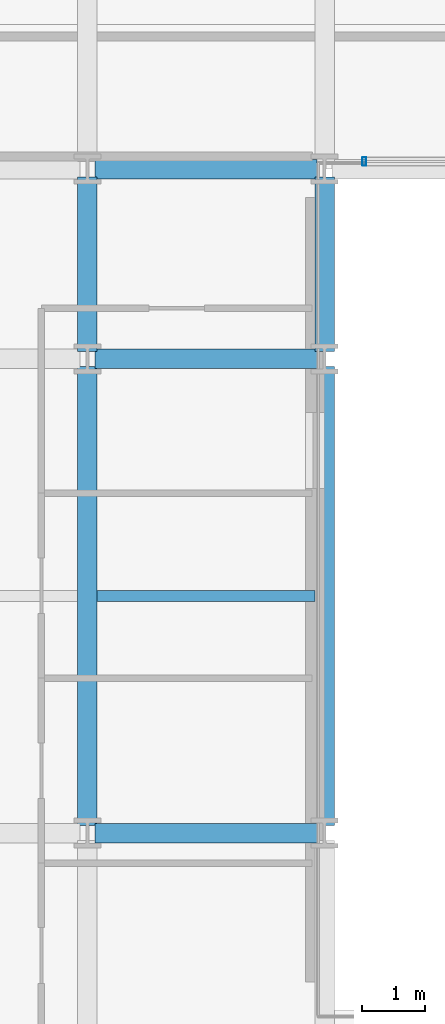
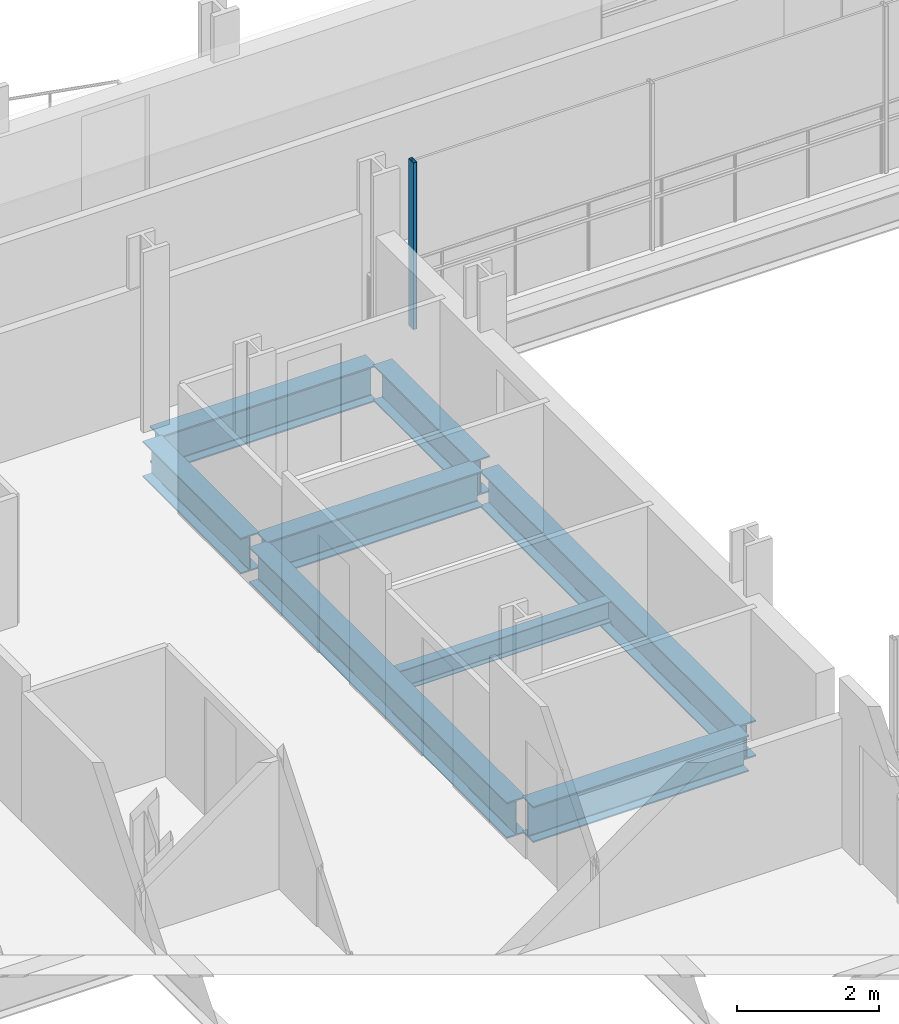
# One storey, part 8 of 38: 8 beams, 1 member, 1 element without a shape of its own.
"""IFC4 building model written with IfcOpenShell, lengths in metres."""

from ifc_helpers import new_model, si_unit, direction, frame, origin, origin_2d, place, context, subcontext, project, spatial, hollow_rectangle, i_section, extrude, material, layer, layer_set, material_profile, profile_set, type_object, element, aggregate, save


model = new_model("IFC4")

# Units and contexts
model_context = context("Model", 3, precision=1e-05, world=origin(), true_north=direction((0.0, 1.0)))
body_context = subcontext(model_context, "Body", "Model", "MODEL_VIEW")
ifc_project = project(units=[si_unit("LENGTHUNIT", "METRE"), si_unit("AREAUNIT", "SQUARE_METRE"), si_unit("VOLUMEUNIT", "CUBIC_METRE"), si_unit("PLANEANGLEUNIT", "RADIAN"), si_unit("MASSUNIT", "GRAM", prefix="KILO")], contexts=[model_context])

# Site, building, storey
site_placement = place(None, origin())
site = spatial("IfcSite", under=ifc_project, at=site_placement, CompositionType="ELEMENT")
building_placement = place(site_placement, origin())
building = spatial("IfcBuilding", under=site, at=building_placement, Name="Brevholm Reach", CompositionType="ELEMENT")
storey_placement = place(building_placement, frame((0.0, 0.0, 59.0)))
storey = spatial("IfcBuildingStorey", under=building, at=storey_placement, Name="L16", CompositionType="ELEMENT", Elevation=59.0)

# Beams
ifc_material_1 = material(Name="Structural Steel S355J2", Category="steel")
ifc_material_profile_1 = material_profile(ifc_material_1, i_section(OverallWidth=0.17138671875, OverallDepth=0.35498046875, WebThickness=0.00732421875, FlangeThickness=0.011474609375, FilletRadius=0.01025390625, at=origin_2d()), Name="UKB 356x171x51")
ifc_profile_set_1 = profile_set([ifc_material_profile_1], Name="Structural Steel S355J2")
beam_type_1 = type_object("IfcBeamType", Name="BM-B356", PredefinedType="BEAM", material=ifc_profile_set_1)
beam_1_placement = place(storey_placement, frame((18.153564453125, 19.75, -0.407470703125), z_axis=(1.0, 0.0, 0.0), x_axis=(0.0, 1.0, 0.0)))
element("IfcBeam", 1, at=beam_1_placement, inside=storey, type_object=beam_type_1, Name="L16 Composite Secondary Floor Beam", PredefinedType="BEAM", context=body_context, shape_type="SweptSolid", body=[
    extrude(i_section(OverallWidth=0.17138671875, OverallDepth=0.35498046875, WebThickness=0.00732421875, FlangeThickness=0.011474609375, FilletRadius=0.01025390625, at=origin_2d()), origin(), (0.0, 0.0, 1.0), 3.44287109375),
])
ifc_material_2 = material(Name="Structural Steel S355J2", Category="steel")
ifc_material_profile_2 = material_profile(ifc_material_2, i_section(OverallWidth=0.30712890625, OverallDepth=0.6201171875, WebThickness=0.01416015625, FlangeThickness=0.023681640625, FilletRadius=0.0166015625, at=origin_2d()), Name="UKB 610x305x179")
ifc_profile_set_2 = profile_set([ifc_material_profile_2], Name="Structural Steel S355J2")
beam_type_2 = type_object("IfcBeamType", Name="BM-UKB610H", PredefinedType="USERDEFINED", material=ifc_profile_set_2)
for number, where, z_axis, x_axis, name in (
    (2, (18.1201171875, 16.0, -0.5400390625), (1.0, 0.0, 0.0), (0.0, 1.0, 0.0), "L16 G-06 Framing Beam"),
    (3, (18.1201171875, 23.5, -0.5400390625), (1.0, 0.0, 0.0), (0.0, 1.0, 0.0), "L16 G-06 Framing Beam"),
    (4, (18.1201171875, 26.5, -0.5400390625), (1.0, 0.0, 0.0), (0.0, 1.0, 0.0), "L16 G-06 Framing Beam"),
):
    element("IfcBeam", number, at=place(storey_placement, frame(where, z_axis=z_axis, x_axis=x_axis)), inside=storey, type_object=beam_type_2, Name=name, ObjectType="GIRDER", PredefinedType="USERDEFINED", context=body_context, shape_type="SweptSolid", body=[
        extrude(i_section(OverallWidth=0.30712890625, OverallDepth=0.6201171875, WebThickness=0.01416015625, FlangeThickness=0.023681640625, FilletRadius=0.0166015625, at=origin_2d()), origin(), (0.0, 0.0, 1.0), 3.509765625),
    ])
beam_2_placement = place(storey_placement, frame((18.0, 16.1201171875, -0.5400390625), z_axis=(0.0, 1.0, 0.0), x_axis=(-1.0, 0.0, 0.0)))
element("IfcBeam", 5, at=beam_2_placement, inside=storey, type_object=beam_type_2, Name="L16 G-06 Framing Beam", ObjectType="GIRDER", PredefinedType="USERDEFINED", context=body_context, shape_type="SweptSolid", body=[
    extrude(i_section(OverallWidth=0.30712890625, OverallDepth=0.6201171875, WebThickness=0.01416015625, FlangeThickness=0.023681640625, FilletRadius=0.0166015625, at=origin_2d()), origin(), (0.0, 0.0, 1.0), 7.259765625),
])
beam_3_placement = place(storey_placement, frame((18.0, 23.6201171875, -0.5400390625), z_axis=(0.0, 1.0, 0.0), x_axis=(-1.0, 0.0, 0.0)))
element("IfcBeam", 6, at=beam_3_placement, inside=storey, type_object=beam_type_2, Name="L16 G-06 Framing Beam", ObjectType="GIRDER", PredefinedType="USERDEFINED", context=body_context, shape_type="SweptSolid", body=[
    extrude(i_section(OverallWidth=0.30712890625, OverallDepth=0.6201171875, WebThickness=0.01416015625, FlangeThickness=0.023681640625, FilletRadius=0.0166015625, at=origin_2d()), origin(), (0.0, 0.0, 1.0), 2.759765625),
])
beam_4_placement = place(storey_placement, frame((21.75, 16.1201171875, -0.5400390625), z_axis=(0.0, 1.0, 0.0), x_axis=(-1.0, 0.0, 0.0)))
element("IfcBeam", 7, at=beam_4_placement, inside=storey, type_object=beam_type_2, Name="L16 G-06 Framing Beam", ObjectType="GIRDER", PredefinedType="USERDEFINED", context=body_context, shape_type="SweptSolid", body=[
    extrude(i_section(OverallWidth=0.30712890625, OverallDepth=0.6201171875, WebThickness=0.01416015625, FlangeThickness=0.023681640625, FilletRadius=0.0166015625, at=origin_2d()), origin(), (0.0, 0.0, 1.0), 7.259765625),
])
beam_5_placement = place(storey_placement, frame((21.75, 23.6201171875, -0.5400390625), z_axis=(0.0, 1.0, 0.0), x_axis=(-1.0, 0.0, 0.0)))
element("IfcBeam", 8, at=beam_5_placement, inside=storey, type_object=beam_type_2, Name="L16 G-06 Framing Beam", ObjectType="GIRDER", PredefinedType="USERDEFINED", context=body_context, shape_type="SweptSolid", body=[
    extrude(i_section(OverallWidth=0.30712890625, OverallDepth=0.6201171875, WebThickness=0.01416015625, FlangeThickness=0.023681640625, FilletRadius=0.0166015625, at=origin_2d()), origin(), (0.0, 0.0, 1.0), 2.759765625),
])

# Curtain wall, member
ifc_material_3 = material(Name="Dark Anodised Aluminium 6063-T6 and Solar-Control Glass", Category="aluminium")
ifc_layer = layer(ifc_material_3, 0.139892578125)
ifc_layer_set = layer_set([ifc_layer], Name="Dark Anodised Aluminium 6063-T6 and Solar-Control Glass")
curtain_wall_type = type_object("IfcCurtainWallType", Name="CW-02", PredefinedType="NOTDEFINED", material=ifc_layer_set)
curtain_wall_placement = place(storey_placement, origin())
curtain_wall = element("IfcCurtainWall", 9, at=curtain_wall_placement, inside=storey, type_object=curtain_wall_type, Name="L16 Curtain Wall CW-02", PredefinedType="NOTDEFINED")
ifc_material_4 = material(Name="Dark Anodised Aluminium 6063-T6", Category="aluminium")
ifc_material_profile_3 = material_profile(ifc_material_4, hollow_rectangle(XDim=0.06005859375, YDim=0.139892578125, WallThickness=0.0048828125, InnerFilletRadius=0.0048828125, OuterFilletRadius=0.010009765625, at=origin_2d()), Name="RHS 140x60x5")
ifc_profile_set_3 = profile_set([ifc_material_profile_3], Name="Dark Anodised Aluminium 6063-T6")
member_type = type_object("IfcMemberType", Name="CWM-140", PredefinedType="MULLION", material=ifc_profile_set_3)
member_placement = place(storey_placement, frame((22.3798828125, 26.6201171875, 0.0), z_axis=(0.0, 0.0, 1.0), x_axis=(-1.0, 0.0, 0.0)))
member = element("IfcMember", 10, at=member_placement, type_object=member_type, Name="CM-140 Mullion 5", PredefinedType="MULLION", context=body_context, shape_type="SweptSolid", body=[
    extrude(hollow_rectangle(XDim=0.06005859375, YDim=0.139892578125, WallThickness=0.0048828125, InnerFilletRadius=0.0048828125, OuterFilletRadius=0.010009765625, at=origin_2d()), origin(), (0.0, 0.0, 1.0), 2.8701171875),
])
aggregate(curtain_wall, [member])

save(model, "model.ifc")
